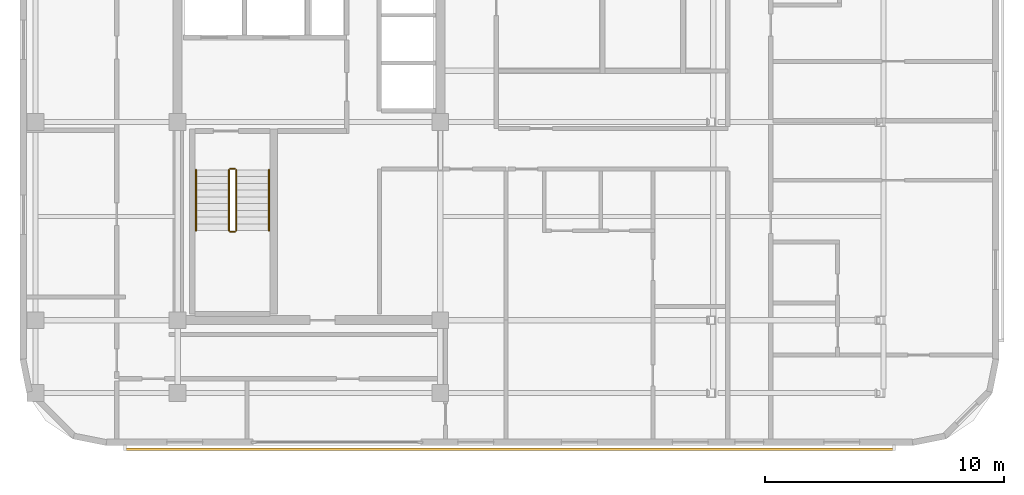
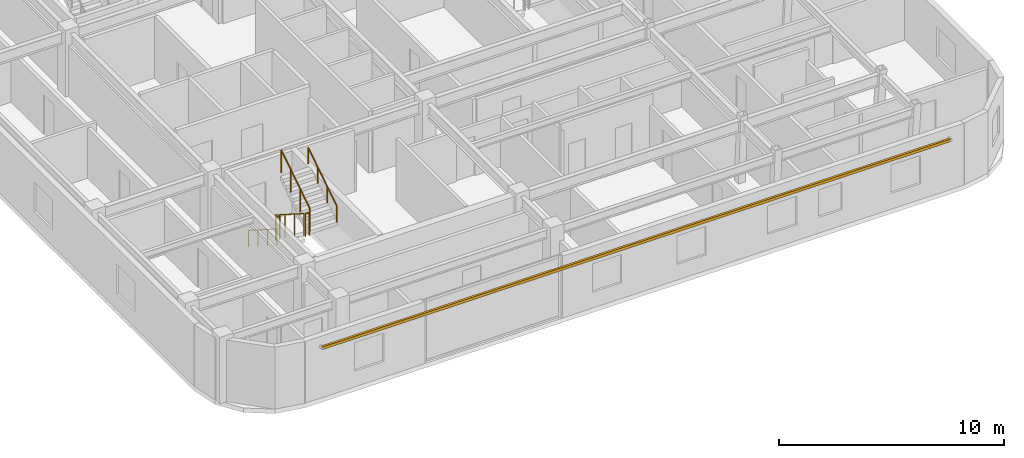
# One storey, part 9 of 11: 6 railings, 1 shading device.
"""IFC4 building model written with IfcOpenShell, lengths in metres."""

from ifc_helpers import new_model, si_unit, direction, frame, origin, origin_2d, place, context, subcontext, project, spatial, rectangle, circle, extrude, material, material_profile, profile_set, type_object, element, save


model = new_model("IFC4")

# Units and contexts
model_context = context("Model", 3, precision=1e-05, world=origin(), true_north=direction((0.0, 1.0)))
body_context = subcontext(model_context, "Body", "Model", "MODEL_VIEW")
ifc_project = project(units=[si_unit("LENGTHUNIT", "METRE"), si_unit("AREAUNIT", "SQUARE_METRE"), si_unit("VOLUMEUNIT", "CUBIC_METRE"), si_unit("PLANEANGLEUNIT", "RADIAN"), si_unit("MASSUNIT", "GRAM", prefix="KILO")], contexts=[model_context])

# Site, building, storey
site_placement = place(None, origin())
site = spatial("IfcSite", under=ifc_project, at=site_placement, CompositionType="ELEMENT")
building_placement = place(site_placement, origin())
building = spatial("IfcBuilding", under=site, at=building_placement, Name="Ochreholt Gables", CompositionType="ELEMENT")
storey_placement = place(building_placement, frame((0.0, 0.0, 188.39990234375)))
storey = spatial("IfcBuildingStorey", under=building, at=storey_placement, Name="L49", CompositionType="ELEMENT", Elevation=188.39990234375)

# Railings
ifc_material_1 = material(Name="Painted Steel Stair Guardrail", Category="steel")
railing_type_1 = type_object("IfcRailingType", Name="RL-ST-GUARD", PredefinedType="GUARDRAIL", material=ifc_material_1)
railing_1_placement = place(storey_placement, frame((26.35009765625, 15.5400390625, 0.18017578125)))
element("IfcRailing", 1, at=railing_1_placement, inside=storey, type_object=railing_type_1, Name="L49 ST-1 stair guard 1", PredefinedType="GUARDRAIL", context=body_context, shape_type="SweptSolid", body=[
    extrude(circle(Radius=0.02392578125, at=origin_2d()), frame((0.0, 0.0, 1.22607421875), z_axis=(0.0, -0.842949592929, 0.537992549931), x_axis=(1.0, 0.0, 0.0)), (0.0, 0.0, 1.0), 3.010986328125),
    extrude(circle(Radius=0.02099609375, at=origin_2d()), origin(), (0.0, 0.0, 1.0), 1.201904296875),
    extrude(circle(Radius=0.02099609375, at=origin_2d()), frame((0.0, -0.845947265625, 0.5400390625)), (0.0, 0.0, 1.0), 1.201904296875),
    extrude(circle(Radius=0.02099609375, at=origin_2d()), frame((0.0, -1.692138671875, 1.079833984375)), (0.0, 0.0, 1.0), 1.201904296875),
    extrude(circle(Radius=0.02099609375, at=origin_2d()), frame((0.0, -2.5380859375, 1.619873046875)), (0.0, 0.0, 1.0), 1.201904296875),
])
railing_2_placement = place(storey_placement, frame((26.39990234375, 12.951904296875, 1.800048828125)))
element("IfcRailing", 2, at=railing_2_placement, inside=storey, type_object=railing_type_1, Name="L49 ST-1 stair guard 2", PredefinedType="GUARDRAIL", context=body_context, shape_type="SweptSolid", body=[
    extrude(circle(Radius=0.02392578125, at=origin_2d()), frame((0.0, 0.0, 1.22607421875), z_axis=(1.0, 0.0, 0.0), x_axis=(0.0, 1.0, 0.0)), (0.0, 0.0, 1.0), 0.2001953125),
    extrude(circle(Radius=0.02099609375, at=origin_2d()), origin(), (0.0, 0.0, 1.0), 1.201904296875),
    extrude(circle(Radius=0.02099609375, at=origin_2d()), frame((0.2001953125, 0.0, 0.0)), (0.0, 0.0, 1.0), 1.201904296875),
])
railing_3_placement = place(storey_placement, frame((26.64990234375, 13.001953125, 1.97998046875)))
element("IfcRailing", 3, at=railing_3_placement, inside=storey, type_object=railing_type_1, Name="L49 ST-1 stair guard 3", PredefinedType="GUARDRAIL", context=body_context, shape_type="SweptSolid", body=[
    extrude(circle(Radius=0.02392578125, at=origin_2d()), frame((0.0, 0.0, 1.22607421875), z_axis=(0.0, 0.842912820907, 0.538050161556), x_axis=(-1.0, 0.0, 0.0)), (0.0, 0.0, 1.0), 3.010986328125),
    extrude(circle(Radius=0.02099609375, at=origin_2d()), origin(), (0.0, 0.0, 1.0), 1.201904296875),
    extrude(circle(Radius=0.02099609375, at=origin_2d()), frame((0.0, 0.845947265625, 0.5400390625)), (0.0, 0.0, 1.0), 1.201904296875),
    extrude(circle(Radius=0.02099609375, at=origin_2d()), frame((0.0, 1.692138671875, 1.080078125)), (0.0, 0.0, 1.0), 1.201904296875),
    extrude(circle(Radius=0.02099609375, at=origin_2d()), frame((0.0, 2.5380859375, 1.6201171875)), (0.0, 0.0, 1.0), 1.201904296875),
])
railing_4_placement = place(storey_placement, frame((26.39990234375, 15.590087890625, 0.0)))
element("IfcRailing", 4, at=railing_4_placement, inside=storey, type_object=railing_type_1, Name="L49 ST-1 stair guard 4", PredefinedType="GUARDRAIL", context=body_context, shape_type="SweptSolid", body=[
    extrude(circle(Radius=0.02392578125, at=origin_2d()), frame((0.0, 0.0, 1.22607421875), z_axis=(1.0, 0.0, 0.0), x_axis=(0.0, 1.0, 0.0)), (0.0, 0.0, 1.0), 0.2001953125),
    extrude(circle(Radius=0.02099609375, at=origin_2d()), origin(), (0.0, 0.0, 1.0), 1.201904296875),
    extrude(circle(Radius=0.02099609375, at=origin_2d()), frame((0.2001953125, 0.0, 0.0)), (0.0, 0.0, 1.0), 1.201904296875),
])
ifc_material_2 = material(Name="Brushed Stainless Steel Wall Handrail", Category="steel")
railing_type_2 = type_object("IfcRailingType", Name="RL-ST-HAND", PredefinedType="HANDRAIL", material=ifc_material_2)
railing_5_placement = place(storey_placement, frame((24.969970703125, 15.5400390625, 0.18017578125)))
element("IfcRailing", 5, at=railing_5_placement, inside=storey, type_object=railing_type_2, Name="L49 ST-1 stair handrail 1", PredefinedType="HANDRAIL", context=body_context, shape_type="SweptSolid", body=[
    extrude(circle(Radius=0.02392578125, at=origin_2d()), frame((0.0, 0.0, 0.8759765625), z_axis=(0.0, -0.842949592929, 0.537992549931), x_axis=(1.0, 0.0, 0.0)), (0.0, 0.0, 1.0), 3.010986328125),
    extrude(circle(Radius=0.02099609375, at=origin_2d()), origin(), (0.0, 0.0, 1.0), 0.851806640625),
    extrude(circle(Radius=0.02099609375, at=origin_2d()), frame((0.0, -0.845947265625, 0.5400390625)), (0.0, 0.0, 1.0), 0.851806640625),
    extrude(circle(Radius=0.02099609375, at=origin_2d()), frame((0.0, -1.692138671875, 1.079833984375)), (0.0, 0.0, 1.0), 0.851806640625),
    extrude(circle(Radius=0.02099609375, at=origin_2d()), frame((0.0, -2.5380859375, 1.619873046875)), (0.0, 0.0, 1.0), 0.851806640625),
])
railing_6_placement = place(storey_placement, frame((28.030029296875, 13.001953125, 1.97998046875)))
element("IfcRailing", 6, at=railing_6_placement, inside=storey, type_object=railing_type_2, Name="L49 ST-1 stair handrail 2", PredefinedType="HANDRAIL", context=body_context, shape_type="SweptSolid", body=[
    extrude(circle(Radius=0.02392578125, at=origin_2d()), frame((0.0, 0.0, 0.8759765625), z_axis=(0.0, 0.842912820907, 0.538050161556), x_axis=(-1.0, 0.0, 0.0)), (0.0, 0.0, 1.0), 3.010986328125),
    extrude(circle(Radius=0.02099609375, at=origin_2d()), origin(), (0.0, 0.0, 1.0), 0.851806640625),
    extrude(circle(Radius=0.02099609375, at=origin_2d()), frame((0.0, 0.845947265625, 0.5400390625)), (0.0, 0.0, 1.0), 0.851806640625),
    extrude(circle(Radius=0.02099609375, at=origin_2d()), frame((0.0, 1.692138671875, 1.080078125)), (0.0, 0.0, 1.0), 0.851806640625),
    extrude(circle(Radius=0.02099609375, at=origin_2d()), frame((0.0, 2.5380859375, 1.6201171875)), (0.0, 0.0, 1.0), 0.851806640625),
])

# Shading device
ifc_material_3 = material(Name="Warm Ochre Glazed Terracotta Baguette", Category="masonry")
ifc_material_profile = material_profile(ifc_material_3, rectangle(XDim=0.110107421875, YDim=0.14990234375, at=origin_2d()), Name="TCBAG110X150")
ifc_profile_set = profile_set([ifc_material_profile], Name="Warm Ochre Glazed Terracotta Baguette")
shading_device_type = type_object("IfcShadingDeviceType", Name="SHD-BAGUETTE", PredefinedType="USERDEFINED", material=ifc_profile_set)
shading_device_placement = place(storey_placement, frame((22.0, 3.85009765625, 2.830078125), z_axis=(1.0, 0.0, 0.0), x_axis=(0.0, 1.0, 0.0)))
element("IfcShadingDevice", 7, at=shading_device_placement, inside=storey, type_object=shading_device_type, Name="L49 Terracotta Baguette Screen S-1", ObjectType="BAGUETTE", PredefinedType="USERDEFINED", context=body_context, shape_type="SweptSolid", body=[
    extrude(rectangle(XDim=0.110107421875, YDim=0.14990234375, at=origin_2d()), origin(), (0.0, 0.0, 1.0), 32.199951171875),
])

save(model, "model.ifc")
